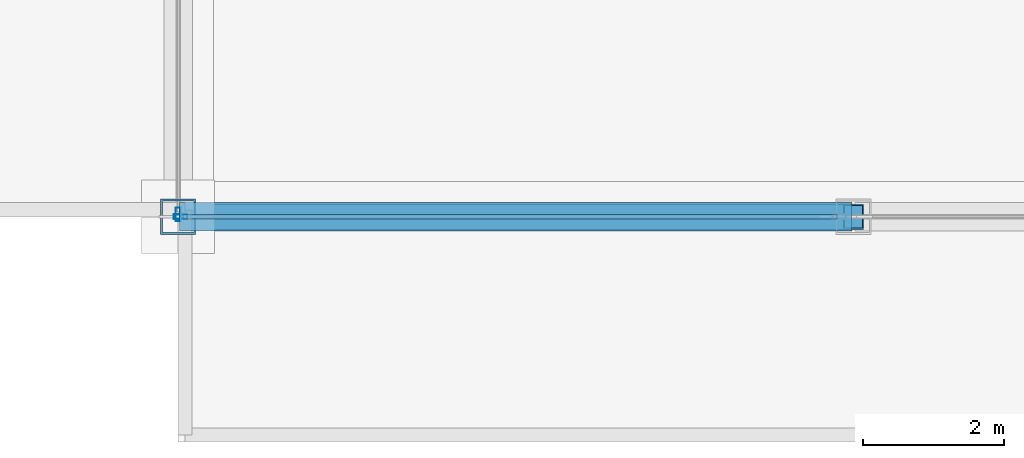
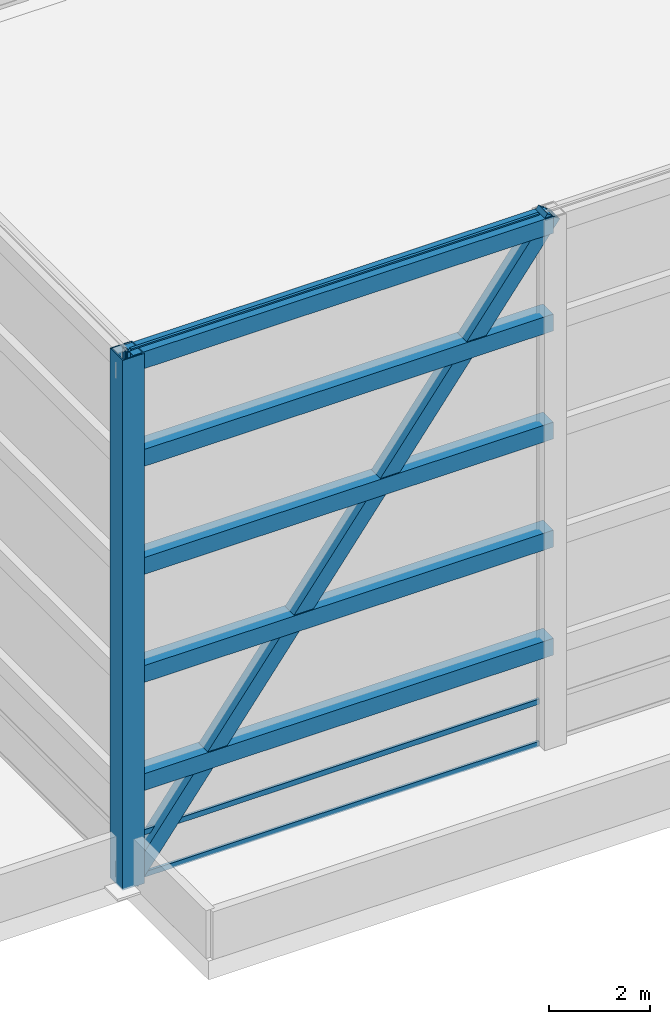
# One storey, part 1 of 23: 7 members, 5 beams, 2 elements without a shape of their own.
"""IFC4 building model written with IfcOpenShell, lengths in metres."""

from ifc_helpers import new_model, si_unit, direction, frame, origin, origin_2d, place, context, subcontext, project, spatial, hollow_rectangle, extrude, source, transform, mapped, material, layer, layer_set, material_profile, profile_set, type_object, type_shapes, element, aggregate, save


model = new_model("IFC4")

# Units and contexts
model_context = context("Model", 3, precision=1e-05, world=origin(), true_north=direction((0.0, 1.0)))
body_context = subcontext(model_context, "Body", "Model", "MODEL_VIEW")
ifc_project = project(units=[si_unit("LENGTHUNIT", "METRE"), si_unit("AREAUNIT", "SQUARE_METRE"), si_unit("VOLUMEUNIT", "CUBIC_METRE"), si_unit("PLANEANGLEUNIT", "RADIAN"), si_unit("MASSUNIT", "GRAM", prefix="KILO")], contexts=[model_context])

# Site, building, storey
site_placement = place(None, origin())
site = spatial("IfcSite", under=ifc_project, at=site_placement, CompositionType="ELEMENT")
building_placement = place(site_placement, origin())
building = spatial("IfcBuilding", under=site, at=building_placement, Name="Varnel Quay Broadcast Tower", CompositionType="ELEMENT")
storey_placement = place(building_placement, frame((0.0, 0.0, 319.800048828125)))
storey = spatial("IfcBuildingStorey", under=building, at=storey_placement, Name="Roof", CompositionType="ELEMENT", Elevation=319.800048828125)

# Member
ifc_material_1 = material(Name="Structural Steel CSA G40.21 350WT", Category="steel")
ifc_material_profile_1 = material_profile(ifc_material_1, hollow_rectangle(XDim=0.5, YDim=0.5, WallThickness=0.02490234375, at=origin_2d()), Name="BOX500X500X25")
ifc_profile_set_1 = profile_set([ifc_material_profile_1], Name="Structural Steel CSA G40.21 350WT")
member_type_1 = type_object("IfcMemberType", Name="CrownRingPost_BOX500", PredefinedType="POST", material=ifc_profile_set_1)
shared_shape_1 = source(origin(), body_context, "Body", "SweptSolid", [
    extrude(hollow_rectangle(XDim=0.5, YDim=0.5, WallThickness=0.02490234375, at=origin_2d()), origin(), (0.0, 0.0, 1.0), 12.75),
])
type_shapes(member_type_1, [shared_shape_1])
member_1_placement = place(storey_placement, frame((15.199951171875, 16.39990234375, 0.0), z_axis=(0.0, 0.0, 1.0), x_axis=(1.0, 0.0, 0.0)))
element("IfcMember", 1, at=member_1_placement, inside=storey, type_object=member_type_1, Name="CROWN FRAME Ring Post 1", PredefinedType="POST", context=body_context, shape_type="MappedRepresentation", body=[
    mapped(shared_shape_1, transform((0.0, 0.0, 0.0), x_axis=(1.0, 0.0, 0.0), y_axis=(0.0, 1.0, 0.0), z_axis=(0.0, 0.0, 1.0), scale=1.0)),
])

# Beams
ifc_material_profile_2 = material_profile(ifc_material_1, hollow_rectangle(XDim=0.406005859375, YDim=0.406005859375, WallThickness=0.01611328125, at=origin_2d()), Name="HSS406X406X16")
ifc_profile_set_2 = profile_set([ifc_material_profile_2], Name="Structural Steel CSA G40.21 350WT")
beam_type = type_object("IfcBeamType", Name="CrownRingBeam_HSS406", PredefinedType="BEAM", material=ifc_profile_set_2)
shared_shape_2 = source(origin(), body_context, "Body", "SweptSolid", [
    extrude(hollow_rectangle(XDim=0.406005859375, YDim=0.406005859375, WallThickness=0.01611328125, at=origin_2d()), origin(), (0.0, 0.0, 1.0), 9.56005859375),
])
type_shapes(beam_type, [shared_shape_2])
for number, where, z_axis, x_axis, name in (
    (2, (15.219970703125, 16.39990234375, 2.39697265625), (1.0, 0.0, 0.0), (0.0, 1.0, 0.0), "CROWN FRAME Ring Tier 1 Beam 1"),
    (3, (15.219970703125, 16.39990234375, 4.9970703125), (1.0, 0.0, 0.0), (0.0, 1.0, 0.0), "CROWN FRAME Ring Tier 2 Beam 1"),
    (4, (15.219970703125, 16.39990234375, 7.596923828125), (1.0, 0.0, 0.0), (0.0, 1.0, 0.0), "CROWN FRAME Ring Tier 3 Beam 1"),
    (5, (15.219970703125, 16.39990234375, 10.197021484375), (1.0, 0.0, 0.0), (0.0, 1.0, 0.0), "CROWN FRAME Ring Tier 4 Beam 1"),
    (6, (15.219970703125, 16.39990234375, 12.546875), (1.0, 0.0, 0.0), (0.0, 1.0, 0.0), "CROWN FRAME Ring Tier 5 Beam 1"),
):
    element("IfcBeam", number, at=place(storey_placement, frame(where, z_axis=z_axis, x_axis=x_axis)), inside=storey, type_object=beam_type, Name=name, PredefinedType="BEAM", context=body_context, shape_type="MappedRepresentation", body=[
        mapped(shared_shape_2, transform((0.0, 0.0, 0.0), x_axis=(1.0, 0.0, 0.0), y_axis=(0.0, 1.0, 0.0), z_axis=(0.0, 0.0, 1.0), scale=1.0)),
    ])

# Member
ifc_material_2 = material(Name="Structural Steel CSA G40.21 350W", Category="steel")
ifc_material_profile_3 = material_profile(ifc_material_2, hollow_rectangle(XDim=0.35595703125, YDim=0.35595703125, WallThickness=0.01611328125, at=origin_2d()), Name="HSS356X356X16")
ifc_profile_set_3 = profile_set([ifc_material_profile_3], Name="Structural Steel CSA G40.21 350W")
member_type_2 = type_object("IfcMemberType", Name="CrownRingBrace_HSS356", PredefinedType="BRACE", material=ifc_profile_set_3)
shared_shape_3 = source(origin(), body_context, "Body", "SweptSolid", [
    extrude(hollow_rectangle(XDim=0.35595703125, YDim=0.35595703125, WallThickness=0.01611328125, at=origin_2d()), origin(), (0.0, 0.0, 1.0), 15.92822265625),
])
type_shapes(member_type_2, [shared_shape_3])
member_2_placement = place(storey_placement, frame((15.199951171875, 16.39990234375, 0.02001953125), z_axis=(0.602713824571, 0.0, 0.797957420964), x_axis=(0.0, 1.0, 0.0)))
element("IfcMember", 7, at=member_2_placement, inside=storey, type_object=member_type_2, Name="CROWN FRAME Ring Brace 1", PredefinedType="BRACE", context=body_context, shape_type="MappedRepresentation", body=[
    mapped(shared_shape_3, transform((0.0, 0.0, 0.0), x_axis=(1.0, 0.0, 0.0), y_axis=(0.0, 1.0, 0.0), z_axis=(0.0, 0.0, 1.0), scale=1.0)),
])

# Curtain wall, member
ifc_material_3 = material(Name="Anodised Bronze Aluminium 6063-T6", Category="aluminium")
ifc_layer = layer(ifc_material_3, 0.18994140625, Name="Anodised Bronze Aluminium 6063-T6")
ifc_layer_set = layer_set([ifc_layer], Name="Anodised Bronze Aluminium 6063-T6")
curtain_wall_type = type_object("IfcCurtainWallType", Name="CW_CrownScreen", PredefinedType="NOTDEFINED", material=ifc_layer_set)
curtain_wall_1_placement = place(storey_placement, origin())
curtain_wall_1 = element("IfcCurtainWall", 8, at=curtain_wall_1_placement, inside=storey, type_object=curtain_wall_type, Name="Ring Crown Bronze Glazed Louvre Screen S1", PredefinedType="NOTDEFINED")
ifc_material_profile_4 = material_profile(ifc_material_3, hollow_rectangle(XDim=0.070068359375, YDim=0.18994140625, WallThickness=0.00390625, at=origin_2d()), Name="ALU70X190X4")
ifc_profile_set_4 = profile_set([ifc_material_profile_4], Name="Anodised Bronze Aluminium 6063-T6")
member_type_3 = type_object("IfcMemberType", Name="Mull_CWS-06", PredefinedType="MULLION", material=ifc_profile_set_4)
shared_shape_4 = source(origin(), body_context, "Body", "SweptSolid", [
    extrude(hollow_rectangle(XDim=0.070068359375, YDim=0.18994140625, WallThickness=0.00390625, at=origin_2d()), origin(), (0.0, 0.0, 1.0), 12.75),
])
type_shapes(member_type_3, [shared_shape_4])
member_3_placement = place(storey_placement, frame((15.235107421875, 16.39990234375, 0.0), z_axis=(0.0, 0.0, 1.0), x_axis=(0.0, 1.0, 0.0)))
member_3 = element("IfcMember", 9, at=member_3_placement, type_object=member_type_3, Name="CWS-06 mullion 1", PredefinedType="MULLION", context=body_context, shape_type="MappedRepresentation", body=[
    mapped(shared_shape_4, transform((0.0, 0.0, 0.0), x_axis=(1.0, 0.0, 0.0), y_axis=(0.0, 1.0, 0.0), z_axis=(0.0, 0.0, 1.0), scale=1.0)),
])

curtain_wall_2_placement = place(storey_placement, origin())
curtain_wall_2 = element("IfcCurtainWall", 10, at=curtain_wall_2_placement, inside=storey, type_object=curtain_wall_type, Name="Ring Crown Bronze Glazed Louvre Screen W2", PredefinedType="NOTDEFINED")
member_4_placement = place(storey_placement, frame((15.199951171875, 16.43505859375, 0.0), z_axis=(0.0, 0.0, 1.0), x_axis=(1.0, 0.0, 0.0)))
member_4 = element("IfcMember", 11, at=member_4_placement, type_object=member_type_3, Name="CWS-06 mullion 3", PredefinedType="MULLION", context=body_context, shape_type="MappedRepresentation", body=[
    mapped(shared_shape_4, transform((0.0, 0.0, 0.0), x_axis=(1.0, 0.0, 0.0), y_axis=(0.0, 1.0, 0.0), z_axis=(0.0, 0.0, 1.0), scale=1.0)),
])
aggregate(curtain_wall_2, [member_4])

# Member
ifc_material_profile_5 = material_profile(ifc_material_3, hollow_rectangle(XDim=0.06005859375, YDim=0.125, WallThickness=0.0029296875, at=origin_2d()), Name="ALU60X125X3")
ifc_profile_set_5 = profile_set([ifc_material_profile_5], Name="Anodised Bronze Aluminium 6063-T6")
member_type_4 = type_object("IfcMemberType", Name="Tran_CWS-06", PredefinedType="USERDEFINED", material=ifc_profile_set_5)
shared_shape_5 = source(origin(), body_context, "Body", "SweptSolid", [
    extrude(hollow_rectangle(XDim=0.06005859375, YDim=0.125, WallThickness=0.0029296875, at=origin_2d()), origin(), (0.0, 0.0, 1.0), 9.294921875),
])
type_shapes(member_type_4, [shared_shape_5])
member_5_placement = place(storey_placement, frame((15.27001953125, 16.39990234375, 0.030029296875), z_axis=(1.0, 0.0, 0.0), x_axis=(0.0, 1.0, 0.0)))
member_5 = element("IfcMember", 12, at=member_5_placement, type_object=member_type_4, Name="CWS-06 transom 1.1", ObjectType="TRANSOM", PredefinedType="USERDEFINED", context=body_context, shape_type="MappedRepresentation", body=[
    mapped(shared_shape_5, transform((0.0, 0.0, 0.0), x_axis=(1.0, 0.0, 0.0), y_axis=(0.0, 1.0, 0.0), z_axis=(0.0, 0.0, 1.0), scale=1.0)),
])

member_6_placement = place(storey_placement, frame((15.27001953125, 16.39990234375, 1.050048828125), z_axis=(1.0, 0.0, 0.0), x_axis=(0.0, 1.0, 0.0)))
member_6 = element("IfcMember", 13, at=member_6_placement, type_object=member_type_4, Name="CWS-06 transom 1.2", ObjectType="TRANSOM", PredefinedType="USERDEFINED", context=body_context, shape_type="MappedRepresentation", body=[
    mapped(shared_shape_5, transform((0.0, 0.0, 0.0), x_axis=(1.0, 0.0, 0.0), y_axis=(0.0, 1.0, 0.0), z_axis=(0.0, 0.0, 1.0), scale=1.0)),
])

member_7_placement = place(storey_placement, frame((15.27001953125, 16.39990234375, 12.719970703125), z_axis=(1.0, 0.0, 0.0), x_axis=(0.0, 1.0, 0.0)))
member_7 = element("IfcMember", 14, at=member_7_placement, type_object=member_type_4, Name="CWS-06 transom 1.3", ObjectType="TRANSOM", PredefinedType="USERDEFINED", context=body_context, shape_type="MappedRepresentation", body=[
    mapped(shared_shape_5, transform((0.0, 0.0, 0.0), x_axis=(1.0, 0.0, 0.0), y_axis=(0.0, 1.0, 0.0), z_axis=(0.0, 0.0, 1.0), scale=1.0)),
])

aggregate(curtain_wall_1, [member_3, member_5, member_6, member_7])

save(model, "model.ifc")
